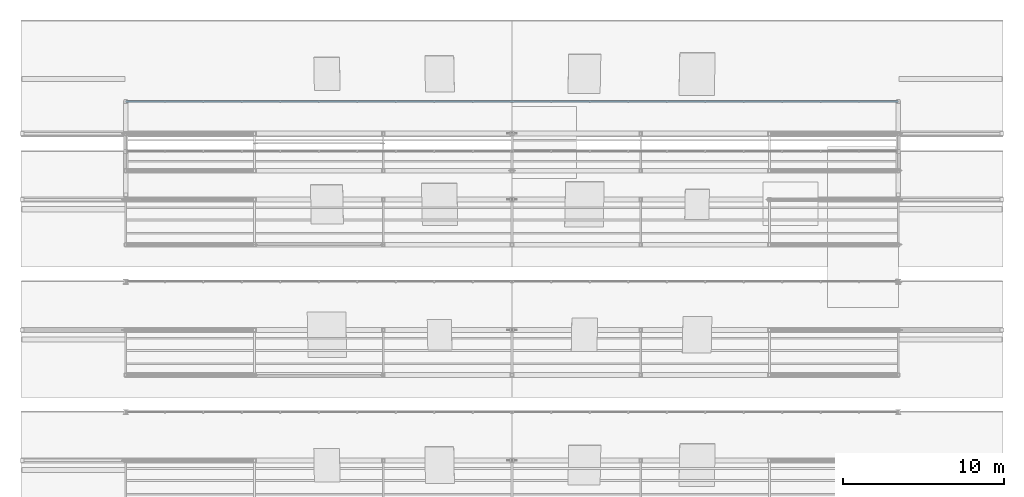
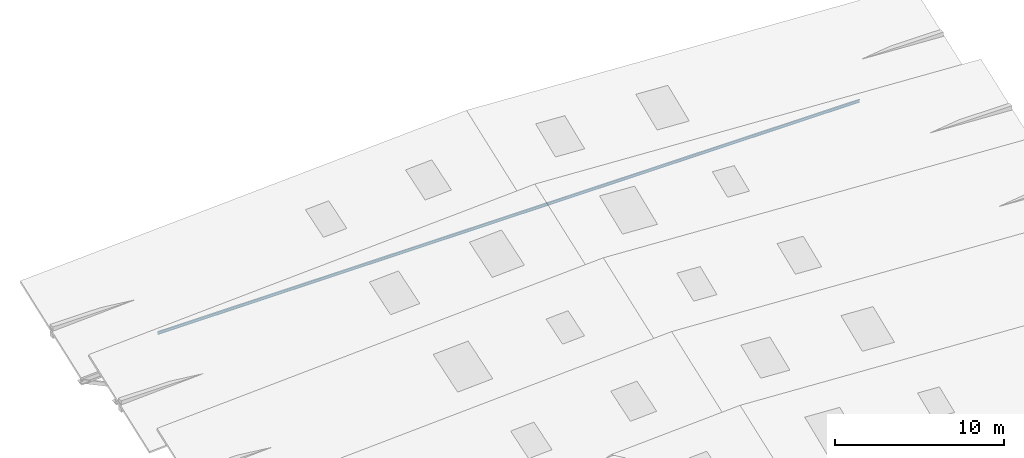
# One storey, part 105 of 141: 1 member.
"""IFC4 building model written with IfcOpenShell, lengths in metres."""

from ifc_helpers import new_model, si_unit, direction, frame, origin, origin_2d, place, context, subcontext, project, spatial, i_section, extrude, material, material_profile, profile_set, type_object, element, save


model = new_model("IFC4")

# Units and contexts
model_context = context("Model", 3, precision=1e-05, world=origin(), true_north=direction((0.0, 1.0)))
body_context = subcontext(model_context, "Body", "Model", "MODEL_VIEW")
ifc_project = project(units=[si_unit("LENGTHUNIT", "METRE"), si_unit("AREAUNIT", "SQUARE_METRE"), si_unit("VOLUMEUNIT", "CUBIC_METRE"), si_unit("PLANEANGLEUNIT", "RADIAN"), si_unit("MASSUNIT", "GRAM", prefix="KILO")], contexts=[model_context])

# Site, building, storey
site_placement = place(None, origin())
site = spatial("IfcSite", under=ifc_project, at=site_placement, CompositionType="ELEMENT")
building_placement = place(site_placement, origin())
building = spatial("IfcBuilding", under=site, at=building_placement, Name="Sundkrona Museum", CompositionType="ELEMENT")
storey_placement = place(building_placement, frame((0.0, 0.0, 34.0)))
storey = spatial("IfcBuildingStorey", under=building, at=storey_placement, Name="RF", CompositionType="ELEMENT", Elevation=34.0)

# Member
ifc_material = material(Name="Steel S355J2", Category="steel")
ifc_material_profile = material_profile(ifc_material, i_section(OverallWidth=0.10009765625, OverallDepth=0.199951171875, WebThickness=0.005615234375, FlangeThickness=0.008544921875, FilletRadius=0.011962890625, at=origin_2d()), Name="IPE 200")
ifc_profile_set = profile_set([ifc_material_profile], Name="Steel S355J2")
member_type = type_object("IfcMemberType", Name="PR-IPE200", PredefinedType="PURLIN", material=ifc_profile_set)
member_placement = place(storey_placement, frame((120.0, 45.800048828125, 2.802978515625), z_axis=(1.0, 0.0, 0.0), x_axis=(0.0, 1.0, 0.0)))
element("IfcMember", 1, at=member_placement, inside=storey, type_object=member_type, Name="RFS-1 Sawtooth Bay 7 Clerestory Sill Beam", PredefinedType="PURLIN", context=body_context, shape_type="SweptSolid", body=[
    extrude(i_section(OverallWidth=0.10009765625, OverallDepth=0.199951171875, WebThickness=0.005615234375, FlangeThickness=0.008544921875, FilletRadius=0.011962890625, at=origin_2d()), origin(), (0.0, 0.0, 1.0), 48.0),
])

save(model, "model.ifc")
